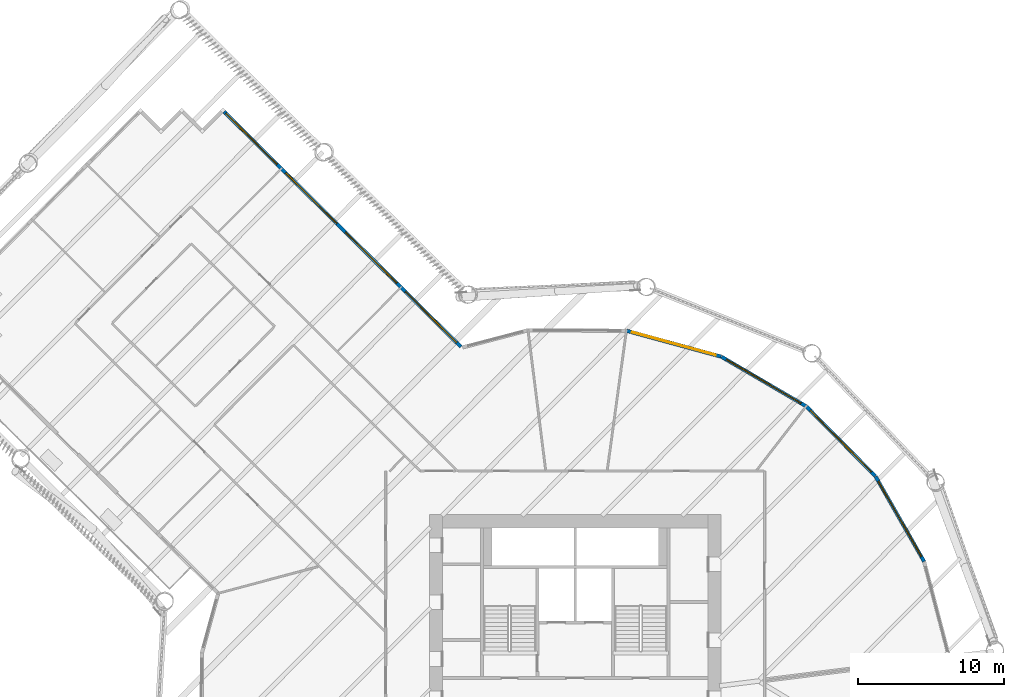
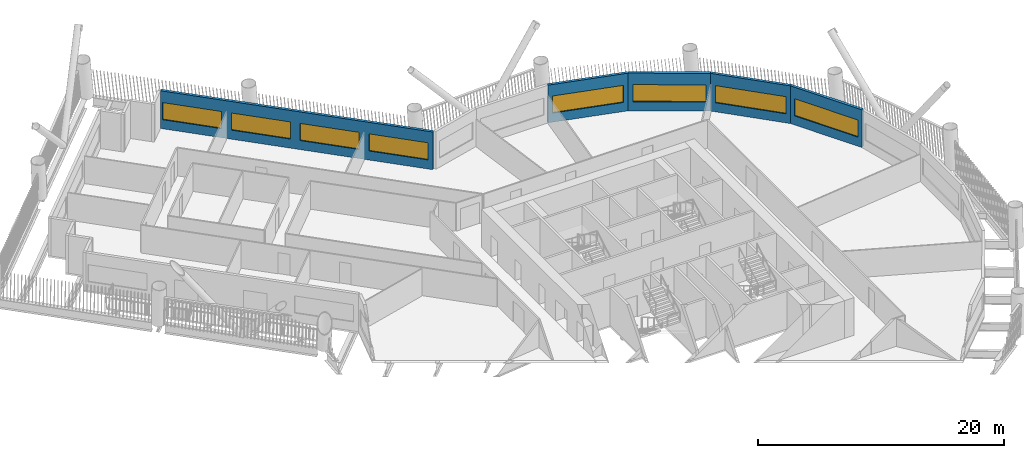
# One storey, part 8 of 22: 8 windows, 5 walls, 8 openings.
"""IFC4 building model written with IfcOpenShell, lengths in metres."""

from ifc_helpers import new_model, si_unit, direction, frame, frame_2d, origin, place, context, subcontext, project, spatial, rectangle, extrude, material, layer, layer_set, type_object, element, fill, save


model = new_model("IFC4")

# Units and contexts
model_context = context("Model", 3, precision=1e-05, world=origin(), true_north=direction((0.0, 1.0)))
body_context = subcontext(model_context, "Body", "Model", "MODEL_VIEW")
ifc_project = project(units=[si_unit("LENGTHUNIT", "METRE"), si_unit("AREAUNIT", "SQUARE_METRE"), si_unit("VOLUMEUNIT", "CUBIC_METRE"), si_unit("PLANEANGLEUNIT", "RADIAN"), si_unit("MASSUNIT", "GRAM", prefix="KILO")], contexts=[model_context])

# Site, building, storey
site_placement = place(None, origin())
site = spatial("IfcSite", under=ifc_project, at=site_placement, CompositionType="ELEMENT")
building_placement = place(site_placement, origin())
building = spatial("IfcBuilding", under=site, at=building_placement, Name="Tarsis Ring Headquarters", CompositionType="ELEMENT")
storey_placement = place(building_placement, frame((0.0, 0.0, 79.0)))
storey = spatial("IfcBuildingStorey", under=building, at=storey_placement, Name="L17", CompositionType="ELEMENT", Elevation=79.0)

# Wall, opening, window
ifc_material_1 = material(Name="Terracotta clad insulated panel wall", Category="masonry")
ifc_layer = layer(ifc_material_1, 0.25)
ifc_layer_set = layer_set([ifc_layer], Name="Facade wall terracotta panel 250")
wall_type = type_object("IfcWallType", Name="Facade wall terracotta panel 250", PredefinedType="STANDARD", material=ifc_layer_set)
wall_1_placement = place(storey_placement, frame((23.94775390625, 9.79052734375, 0.0), z_axis=(0.0, 0.0, 1.0), x_axis=(-0.49546208949, 0.868629563093, 0.0)))
wall_1 = element("IfcWall", 1, at=wall_1_placement, inside=storey, type_object=wall_type, Name="External wall L17-25", PredefinedType="STANDARD", context=body_context, shape_type="SweptSolid", body=[
    extrude(rectangle(XDim=6.7216796875, YDim=0.25, at=frame_2d((3.36083984375, 0.0))), origin(), (0.0, 0.0, 1.0), 3.739990234375),
])
opening_1_placement = place(wall_1_placement, frame((0.3857421875, 0.0, 0.89990234375)))
opening_1 = element("IfcOpeningElement", 2, at=opening_1_placement, cuts=wall_1, Name="Opening WN07", PredefinedType="OPENING", context=body_context, shape_type="SweptSolid", body=[
    extrude(rectangle(XDim=5.949951171875, YDim=1.699951171875, at=frame_2d((2.97509765625, 0.85009765625))), frame((0.0, 0.135009765625, 0.0), z_axis=(0.0, -1.0, 0.0), x_axis=(1.0, 0.0, 0.0)), (0.0, 0.0, 1.0), 0.27001953125),
])
ifc_material_2 = material(Name="Aluminium framed double glazing", Category="aluminium")
window_type_1 = type_object("IfcWindowType", Name="Facade window 5950 x 1700", PartitioningType="SINGLE_PANEL", PredefinedType="WINDOW", material=ifc_material_2)
window_1_placement = place(opening_1_placement, origin())
window_1 = element("IfcWindow", 3, at=window_1_placement, inside=storey, type_object=window_type_1, Name="Window L17-25.1", OverallHeight=1.699951171875, OverallWidth=5.949951171875, PartitioningType="SINGLE_PANEL", PredefinedType="WINDOW", context=body_context, shape_type="SweptSolid", body=[
    extrude(rectangle(XDim=5.949951171875, YDim=1.699951171875, at=frame_2d((2.97509765625, 0.85009765625))), frame((0.0, 0.030029296875, 0.0), z_axis=(0.0, -1.0, 0.0), x_axis=(1.0, 0.0, 0.0)), (0.0, 0.0, 1.0), 0.06005859375),
])
fill(opening_1, window_1)

wall_2_placement = place(storey_placement, frame((20.59765625, 15.655029296875, 0.0), z_axis=(0.0, 0.0, 1.0), x_axis=(-0.703392143499, 0.710802006514, 0.0)))
wall_2 = element("IfcWall", 4, at=wall_2_placement, inside=storey, type_object=wall_type, Name="External wall L17-26", PredefinedType="STANDARD", context=body_context, shape_type="SweptSolid", body=[
    extrude(rectangle(XDim=6.721435546875, YDim=0.25, at=frame_2d((3.36083984375, 0.0))), origin(), (0.0, 0.0, 1.0), 3.739990234375),
])
opening_2_placement = place(wall_2_placement, frame((0.3857421875, 0.0, 0.89990234375)))
opening_2 = element("IfcOpeningElement", 5, at=opening_2_placement, cuts=wall_2, Name="Opening WN07", PredefinedType="OPENING", context=body_context, shape_type="SweptSolid", body=[
    extrude(rectangle(XDim=5.949951171875, YDim=1.699951171875, at=frame_2d((2.97509765625, 0.85009765625))), frame((0.0, 0.135009765625, 0.0), z_axis=(0.0, -1.0, 0.0), x_axis=(1.0, 0.0, 0.0)), (0.0, 0.0, 1.0), 0.27001953125),
])
window_2_placement = place(opening_2_placement, origin())
window_2 = element("IfcWindow", 6, at=window_2_placement, inside=storey, type_object=window_type_1, Name="Window L17-26.1", OverallHeight=1.699951171875, OverallWidth=5.949951171875, PartitioningType="SINGLE_PANEL", PredefinedType="WINDOW", context=body_context, shape_type="SweptSolid", body=[
    extrude(rectangle(XDim=5.949951171875, YDim=1.699951171875, at=frame_2d((2.97509765625, 0.85009765625))), frame((0.0, 0.030029296875, 0.0), z_axis=(0.0, -1.0, 0.0), x_axis=(1.0, 0.0, 0.0)), (0.0, 0.0, 1.0), 0.06005859375),
])
fill(opening_2, window_2)

wall_3_placement = place(storey_placement, frame((15.843994140625, 20.45263671875, 0.0), z_axis=(0.0, 0.0, 1.0), x_axis=(-0.863380780256, 0.504552899392, 0.0)))
wall_3 = element("IfcWall", 7, at=wall_3_placement, inside=storey, type_object=wall_type, Name="External wall L17-27", PredefinedType="STANDARD", context=body_context, shape_type="SweptSolid", body=[
    extrude(rectangle(XDim=6.721435546875, YDim=0.25, at=frame_2d((3.36083984375, 0.0))), origin(), (0.0, 0.0, 1.0), 3.739990234375),
])
opening_3_placement = place(wall_3_placement, frame((0.3857421875, 0.0, 0.89990234375)))
opening_3 = element("IfcOpeningElement", 8, at=opening_3_placement, cuts=wall_3, Name="Opening WN07", PredefinedType="OPENING", context=body_context, shape_type="SweptSolid", body=[
    extrude(rectangle(XDim=5.949951171875, YDim=1.699951171875, at=frame_2d((2.97509765625, 0.85009765625))), frame((0.0, 0.135009765625, 0.0), z_axis=(0.0, -1.0, 0.0), x_axis=(1.0, 0.0, 0.0)), (0.0, 0.0, 1.0), 0.27001953125),
])
window_3_placement = place(opening_3_placement, origin())
window_3 = element("IfcWindow", 9, at=window_3_placement, inside=storey, type_object=window_type_1, Name="Window L17-27.1", OverallHeight=1.699951171875, OverallWidth=5.949951171875, PartitioningType="SINGLE_PANEL", PredefinedType="WINDOW", context=body_context, shape_type="SweptSolid", body=[
    extrude(rectangle(XDim=5.949951171875, YDim=1.699951171875, at=frame_2d((2.97509765625, 0.85009765625))), frame((0.0, 0.030029296875, 0.0), z_axis=(0.0, -1.0, 0.0), x_axis=(1.0, 0.0, 0.0)), (0.0, 0.0, 1.0), 0.06005859375),
])
fill(opening_3, window_3)

wall_4_placement = place(storey_placement, frame((10.0107421875, 23.8564453125, 0.0), z_axis=(0.0, 0.0, 1.0), x_axis=(-0.964556489444, 0.263876445843, 0.0)))
wall_4 = element("IfcWall", 10, at=wall_4_placement, inside=storey, type_object=wall_type, Name="External wall L17-28", PredefinedType="STANDARD", context=body_context, shape_type="SweptSolid", body=[
    extrude(rectangle(XDim=6.7216796875, YDim=0.25, at=frame_2d((3.36083984375, 0.0))), origin(), (0.0, 0.0, 1.0), 3.739990234375),
])
opening_4_placement = place(wall_4_placement, frame((0.3857421875, 0.0, 0.89990234375)))
opening_4 = element("IfcOpeningElement", 11, at=opening_4_placement, cuts=wall_4, Name="Opening WN07", PredefinedType="OPENING", context=body_context, shape_type="SweptSolid", body=[
    extrude(rectangle(XDim=5.949951171875, YDim=1.699951171875, at=frame_2d((2.97509765625, 0.85009765625))), frame((0.0, 0.135009765625, 0.0), z_axis=(0.0, -1.0, 0.0), x_axis=(1.0, 0.0, 0.0)), (0.0, 0.0, 1.0), 0.27001953125),
])
window_4_placement = place(opening_4_placement, origin())
window_4 = element("IfcWindow", 12, at=window_4_placement, inside=storey, type_object=window_type_1, Name="Window L17-28.1", OverallHeight=1.699951171875, OverallWidth=5.949951171875, PartitioningType="SINGLE_PANEL", PredefinedType="WINDOW", context=body_context, shape_type="SweptSolid", body=[
    extrude(rectangle(XDim=5.949951171875, YDim=1.699951171875, at=frame_2d((2.97509765625, 0.85009765625))), frame((0.0, 0.030029296875, 0.0), z_axis=(0.0, -1.0, 0.0), x_axis=(1.0, 0.0, 0.0)), (0.0, 0.0, 1.0), 0.06005859375),
])
fill(opening_4, window_4)

# Wall, openings, windows
wall_5_placement = place(storey_placement, frame((-7.84521484375, 24.526123046875, 0.0), z_axis=(0.0, 0.0, 1.0), x_axis=(-0.709570406334, 0.70463454248, 0.0)))
wall_5 = element("IfcWall", 13, at=wall_5_placement, inside=storey, type_object=wall_type, Name="External wall L17-31", PredefinedType="STANDARD", context=body_context, shape_type="SweptSolid", body=[
    extrude(rectangle(XDim=22.901123046875, YDim=0.25, at=frame_2d((11.45068359375, 0.0))), origin(), (0.0, 0.0, 1.0), 3.739990234375),
])
opening_5_placement = place(wall_5_placement, frame((0.4189453125, 0.0, 0.89990234375)))
opening_5 = element("IfcOpeningElement", 14, at=opening_5_placement, cuts=wall_5, Name="Opening WN05", PredefinedType="OPENING", context=body_context, shape_type="SweptSolid", body=[
    extrude(rectangle(XDim=4.949951171875, YDim=1.699951171875, at=frame_2d((2.47509765625, 0.85009765625))), frame((0.0, 0.135009765625, 0.0), z_axis=(0.0, -1.0, 0.0), x_axis=(1.0, 0.0, 0.0)), (0.0, 0.0, 1.0), 0.27001953125),
])
opening_6_placement = place(wall_5_placement, frame((6.206787109375, 0.0, 0.89990234375)))
opening_6 = element("IfcOpeningElement", 15, at=opening_6_placement, cuts=wall_5, Name="Opening WN05", PredefinedType="OPENING", context=body_context, shape_type="SweptSolid", body=[
    extrude(rectangle(XDim=4.949951171875, YDim=1.699951171875, at=frame_2d((2.47509765625, 0.85009765625))), frame((0.0, 0.135009765625, 0.0), z_axis=(0.0, -1.0, 0.0), x_axis=(1.0, 0.0, 0.0)), (0.0, 0.0, 1.0), 0.27001953125),
])
opening_7_placement = place(wall_5_placement, frame((11.99462890625, 0.0, 0.89990234375)))
opening_7 = element("IfcOpeningElement", 16, at=opening_7_placement, cuts=wall_5, Name="Opening WN05", PredefinedType="OPENING", context=body_context, shape_type="SweptSolid", body=[
    extrude(rectangle(XDim=4.949951171875, YDim=1.699951171875, at=frame_2d((2.47509765625, 0.85009765625))), frame((0.0, 0.135009765625, 0.0), z_axis=(0.0, -1.0, 0.0), x_axis=(1.0, 0.0, 0.0)), (0.0, 0.0, 1.0), 0.27001953125),
])
opening_8_placement = place(wall_5_placement, frame((17.782470703125, 0.0, 0.89990234375)))
opening_8 = element("IfcOpeningElement", 17, at=opening_8_placement, cuts=wall_5, Name="Opening WN05", PredefinedType="OPENING", context=body_context, shape_type="SweptSolid", body=[
    extrude(rectangle(XDim=4.949951171875, YDim=1.699951171875, at=frame_2d((2.47509765625, 0.85009765625))), frame((0.0, 0.135009765625, 0.0), z_axis=(0.0, -1.0, 0.0), x_axis=(1.0, 0.0, 0.0)), (0.0, 0.0, 1.0), 0.27001953125),
])
window_type_2 = type_object("IfcWindowType", Name="Facade window 4950 x 1700", PartitioningType="SINGLE_PANEL", PredefinedType="WINDOW", material=ifc_material_2)
window_5_placement = place(opening_5_placement, origin())
window_5 = element("IfcWindow", 18, at=window_5_placement, inside=storey, type_object=window_type_2, Name="Window L17-31.1", OverallHeight=1.699951171875, OverallWidth=4.949951171875, PartitioningType="SINGLE_PANEL", PredefinedType="WINDOW", context=body_context, shape_type="SweptSolid", body=[
    extrude(rectangle(XDim=4.949951171875, YDim=1.699951171875, at=frame_2d((2.47509765625, 0.85009765625))), frame((0.0, 0.030029296875, 0.0), z_axis=(0.0, -1.0, 0.0), x_axis=(1.0, 0.0, 0.0)), (0.0, 0.0, 1.0), 0.06005859375),
])
fill(opening_5, window_5)
window_6_placement = place(opening_6_placement, origin())
window_6 = element("IfcWindow", 19, at=window_6_placement, inside=storey, type_object=window_type_2, Name="Window L17-31.2", OverallHeight=1.699951171875, OverallWidth=4.949951171875, PartitioningType="SINGLE_PANEL", PredefinedType="WINDOW", context=body_context, shape_type="SweptSolid", body=[
    extrude(rectangle(XDim=4.949951171875, YDim=1.699951171875, at=frame_2d((2.47509765625, 0.85009765625))), frame((0.0, 0.030029296875, 0.0), z_axis=(0.0, -1.0, 0.0), x_axis=(1.0, 0.0, 0.0)), (0.0, 0.0, 1.0), 0.06005859375),
])
fill(opening_6, window_6)
window_7_placement = place(opening_7_placement, origin())
window_7 = element("IfcWindow", 20, at=window_7_placement, inside=storey, type_object=window_type_2, Name="Window L17-31.3", OverallHeight=1.699951171875, OverallWidth=4.949951171875, PartitioningType="SINGLE_PANEL", PredefinedType="WINDOW", context=body_context, shape_type="SweptSolid", body=[
    extrude(rectangle(XDim=4.949951171875, YDim=1.699951171875, at=frame_2d((2.47509765625, 0.85009765625))), frame((0.0, 0.030029296875, 0.0), z_axis=(0.0, -1.0, 0.0), x_axis=(1.0, 0.0, 0.0)), (0.0, 0.0, 1.0), 0.06005859375),
])
fill(opening_7, window_7)
window_8_placement = place(opening_8_placement, origin())
window_8 = element("IfcWindow", 21, at=window_8_placement, inside=storey, type_object=window_type_2, Name="Window L17-31.4", OverallHeight=1.699951171875, OverallWidth=4.949951171875, PartitioningType="SINGLE_PANEL", PredefinedType="WINDOW", context=body_context, shape_type="SweptSolid", body=[
    extrude(rectangle(XDim=4.949951171875, YDim=1.699951171875, at=frame_2d((2.47509765625, 0.85009765625))), frame((0.0, 0.030029296875, 0.0), z_axis=(0.0, -1.0, 0.0), x_axis=(1.0, 0.0, 0.0)), (0.0, 0.0, 1.0), 0.06005859375),
])
fill(opening_8, window_8)

save(model, "model.ifc")
